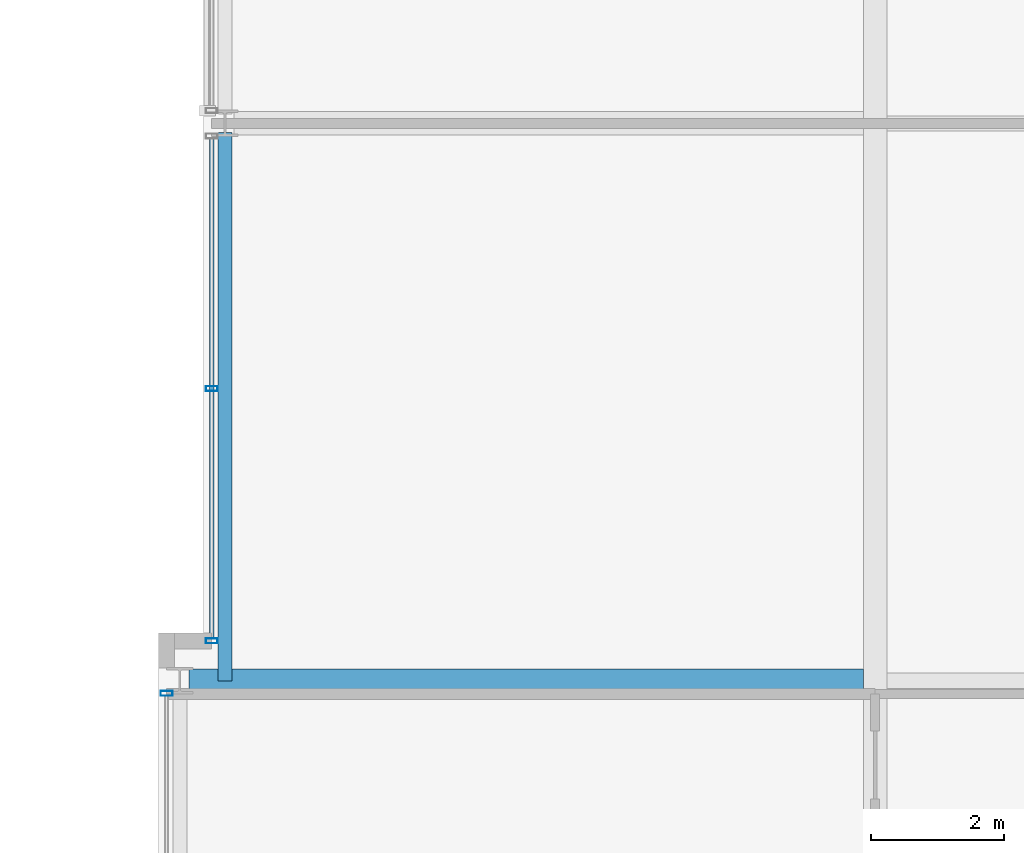
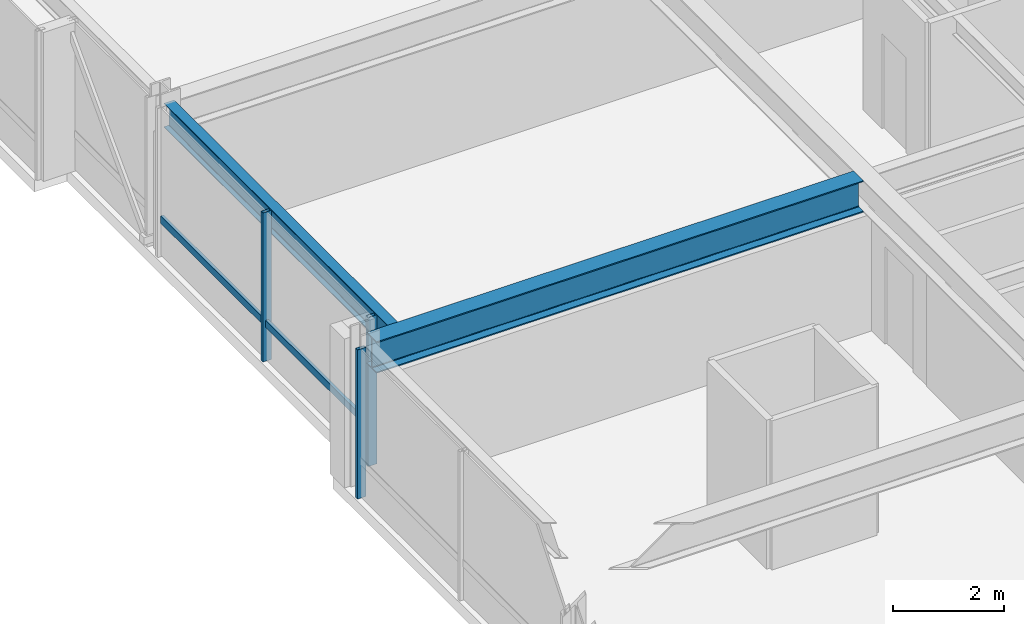
# One storey, part 7 of 32: 4 members, 2 beams, 2 elements without a shape of their own.
"""IFC4 building model written with IfcOpenShell, lengths in metres."""

from ifc_helpers import new_model, si_unit, direction, frame, origin, origin_2d, place, context, subcontext, project, spatial, hollow_rectangle, i_section, extrude, material, layer, layer_set, material_profile, profile_set, type_object, element, aggregate, save


model = new_model("IFC4")

# Units and contexts
model_context = context("Model", 3, precision=1e-05, world=origin(), true_north=direction((0.0, 1.0)))
body_context = subcontext(model_context, "Body", "Model", "MODEL_VIEW")
ifc_project = project(units=[si_unit("LENGTHUNIT", "METRE"), si_unit("AREAUNIT", "SQUARE_METRE"), si_unit("VOLUMEUNIT", "CUBIC_METRE"), si_unit("PLANEANGLEUNIT", "RADIAN"), si_unit("MASSUNIT", "GRAM", prefix="KILO")], contexts=[model_context])

# Site, building, storey
site_placement = place(None, origin())
site = spatial("IfcSite", under=ifc_project, at=site_placement, CompositionType="ELEMENT")
building_placement = place(site_placement, origin())
building = spatial("IfcBuilding", under=site, at=building_placement, Name="Drelvath Grand Hotel", CompositionType="ELEMENT")
storey_placement = place(building_placement, frame((0.0, 0.0, 189.449951171875)))
storey = spatial("IfcBuildingStorey", under=building, at=storey_placement, Name="L49", CompositionType="ELEMENT", Elevation=189.449951171875)

# Curtain wall, member
ifc_material_1 = material(Name="Brushed Pale-Silver Anodised Aluminium Frame", Category="aluminium")
ifc_layer = layer(ifc_material_1, 0.199951171875)
ifc_layer_set = layer_set([ifc_layer], Name="Brushed Pale-Silver Anodised Aluminium Frame")
curtain_wall_type = type_object("IfcCurtainWallType", Name="Stick Curtain Wall CW-04 Brushed Silver Upper-Mid", PredefinedType="NOTDEFINED", material=ifc_layer_set)
curtain_wall_1_placement = place(storey_placement, origin())
curtain_wall_1 = element("IfcCurtainWall", 1, at=curtain_wall_1_placement, inside=storey, type_object=curtain_wall_type, Name="L49 CW-04 Curtain Wall CW04-L49-WM1", PredefinedType="NOTDEFINED")
ifc_material_profile_1 = material_profile(ifc_material_1, hollow_rectangle(XDim=0.06494140625, YDim=0.159912109375, WallThickness=0.00390625, at=origin_2d()), Name="HSS160X65X4")
ifc_profile_set_1 = profile_set([ifc_material_profile_1], Name="Brushed Pale-Silver Anodised Aluminium Frame")
member_type_1 = type_object("IfcMemberType", Name="Curtain Wall Horizontal Transom CW-04 HSS160X65X4", PredefinedType="USERDEFINED", material=ifc_profile_set_1)
member_1_placement = place(storey_placement, frame((-26.199951171875, 19.239990234375, 0.822509765625), z_axis=(0.0, 1.0, 0.0), x_axis=(-1.0, 0.0, 0.0)))
member_1 = element("IfcMember", 2, at=member_1_placement, type_object=member_type_1, Name="CW04-L49-WM1 Sill Transom", ObjectType="TRANSOM", PredefinedType="USERDEFINED", context=body_context, shape_type="SweptSolid", body=[
    extrude(hollow_rectangle(XDim=0.06494140625, YDim=0.159912109375, WallThickness=0.00390625, at=origin_2d()), origin(), (0.0, 0.0, 1.0), 7.5283203125),
])

curtain_wall_2_placement = place(storey_placement, origin())
curtain_wall_2 = element("IfcCurtainWall", 3, at=curtain_wall_2_placement, inside=storey, type_object=curtain_wall_type, Name="L49 CW-04 Curtain Wall CW04-L49-WS2", PredefinedType="NOTDEFINED")
ifc_material_profile_2 = material_profile(ifc_material_1, hollow_rectangle(XDim=0.074951171875, YDim=0.179931640625, WallThickness=0.0048828125, at=origin_2d()), Name="HSS180X75X5")
ifc_profile_set_2 = profile_set([ifc_material_profile_2], Name="Brushed Pale-Silver Anodised Aluminium Frame")
member_type_2 = type_object("IfcMemberType", Name="Curtain Wall Vertical Mullion CW-04 HSS180X75X5", PredefinedType="MULLION", material=ifc_profile_set_2)
member_2_placement = place(storey_placement, frame((-26.8798828125, 18.408447265625, 0.0), z_axis=(0.0, 0.0, 1.0), x_axis=(0.0, 1.0, 0.0)))
member_2 = element("IfcMember", 4, at=member_2_placement, type_object=member_type_2, Name="CW04-L49-WS2 Mullion 3", PredefinedType="MULLION", context=body_context, shape_type="SweptSolid", body=[
    extrude(hollow_rectangle(XDim=0.074951171875, YDim=0.179931640625, WallThickness=0.0048828125, at=origin_2d()), origin(), (0.0, 0.0, 1.0), 3.2900390625),
])
aggregate(curtain_wall_2, [member_2])

# Member
member_3_placement = place(storey_placement, frame((-26.199951171875, 19.199951171875, 0.0), z_axis=(0.0, 0.0, 1.0), x_axis=(0.0, 1.0, 0.0)))
member_3 = element("IfcMember", 5, at=member_3_placement, type_object=member_type_2, Name="CW04-L49-WM1 Mullion 1", PredefinedType="MULLION", context=body_context, shape_type="SweptSolid", body=[
    extrude(hollow_rectangle(XDim=0.074951171875, YDim=0.179931640625, WallThickness=0.0048828125, at=origin_2d()), origin(), (0.0, 0.0, 1.0), 3.2900390625),
])

member_4_placement = place(storey_placement, frame((-26.199951171875, 23.004150390625, 0.0), z_axis=(0.0, 0.0, 1.0), x_axis=(0.0, 1.0, 0.0)))
member_4 = element("IfcMember", 6, at=member_4_placement, type_object=member_type_2, Name="CW04-L49-WM1 Mullion 2", PredefinedType="MULLION", context=body_context, shape_type="SweptSolid", body=[
    extrude(hollow_rectangle(XDim=0.074951171875, YDim=0.179931640625, WallThickness=0.0048828125, at=origin_2d()), origin(), (0.0, 0.0, 1.0), 3.2900390625),
])

aggregate(curtain_wall_1, [member_3, member_4, member_1])

# Beams
ifc_material_2 = material(Name="Steel ASTM A992 Gr 50", Category="steel")
ifc_material_profile_3 = material_profile(ifc_material_2, i_section(OverallWidth=0.210205078125, OverallDepth=0.53662109375, WebThickness=0.010986328125, FlangeThickness=0.017333984375, FilletRadius=0.01806640625, at=origin_2d()), Name="W21X68")
ifc_profile_set_3 = profile_set([ifc_material_profile_3], Name="Steel ASTM A992 Gr 50")
beam_type_1 = type_object("IfcBeamType", Name="Perimeter Spandrel Beam W21X68", PredefinedType="SPANDREL", material=ifc_profile_set_3)
beam_1_placement = place(storey_placement, frame((-26.0, 18.60009765625, 3.021728515625), z_axis=(0.0, 1.0, 0.0), x_axis=(-1.0, 0.0, 0.0)))
element("IfcBeam", 7, at=beam_1_placement, inside=storey, type_object=beam_type_1, Name="L49 Spandrel West Mid S", PredefinedType="SPANDREL", context=body_context, shape_type="SweptSolid", body=[
    extrude(i_section(OverallWidth=0.210205078125, OverallDepth=0.53662109375, WebThickness=0.010986328125, FlangeThickness=0.017333984375, FilletRadius=0.01806640625, at=origin_2d()), origin(), (0.0, 0.0, 1.0), 8.260009765625),
])
ifc_material_profile_4 = material_profile(ifc_material_2, i_section(OverallWidth=0.354736328125, OverallDepth=0.695556640625, WebThickness=0.015380859375, FlangeThickness=0.025146484375, FilletRadius=0.02392578125, at=origin_2d()), Name="W27X146")
ifc_profile_set_4 = profile_set([ifc_material_profile_4], Name="Steel ASTM A992 Gr 50")
beam_type_2 = type_object("IfcBeamType", Name="Primary Floor Girder W27X146", PredefinedType="BEAM", material=ifc_profile_set_4)
beam_2_placement = place(storey_placement, frame((-26.5400390625, 18.60009765625, 2.9423828125), z_axis=(1.0, 0.0, 0.0), x_axis=(0.0, 1.0, 0.0)))
element("IfcBeam", 8, at=beam_2_placement, inside=storey, type_object=beam_type_2, Name="L49 West Wing Girder D", PredefinedType="BEAM", context=body_context, shape_type="SweptSolid", body=[
    extrude(i_section(OverallWidth=0.354736328125, OverallDepth=0.695556640625, WebThickness=0.015380859375, FlangeThickness=0.025146484375, FilletRadius=0.02392578125, at=origin_2d()), origin(), (0.0, 0.0, 1.0), 10.16259765625),
])

save(model, "model.ifc")
